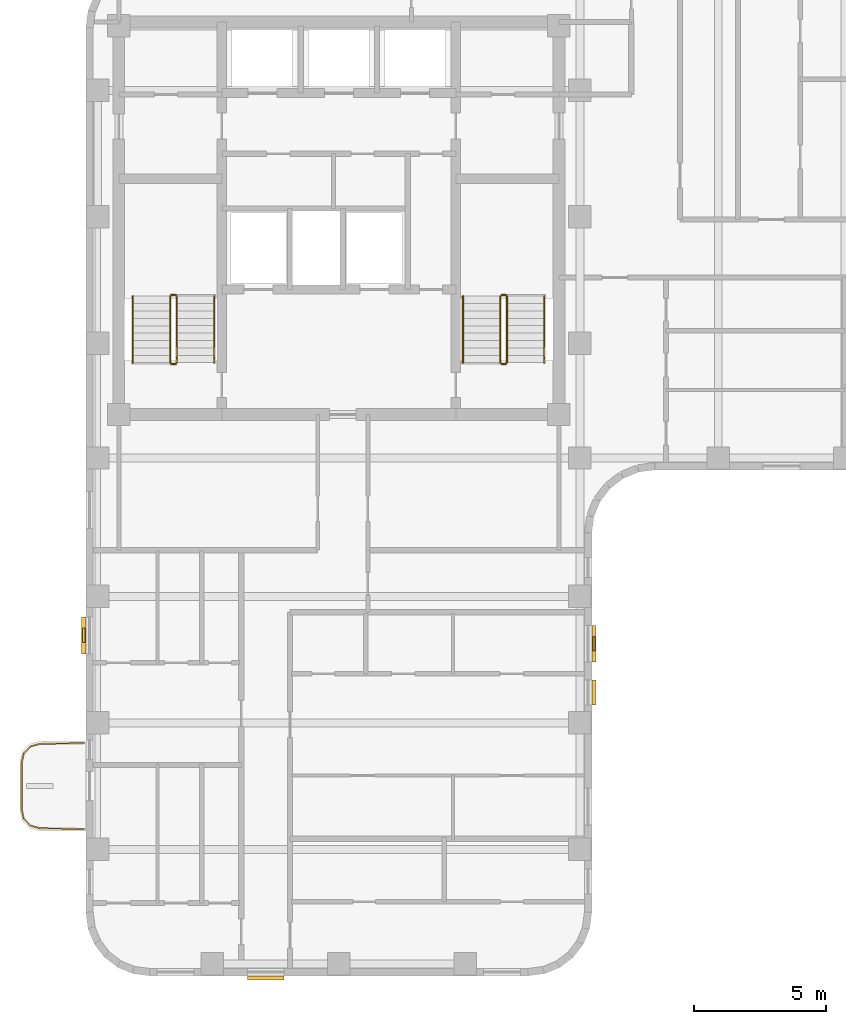
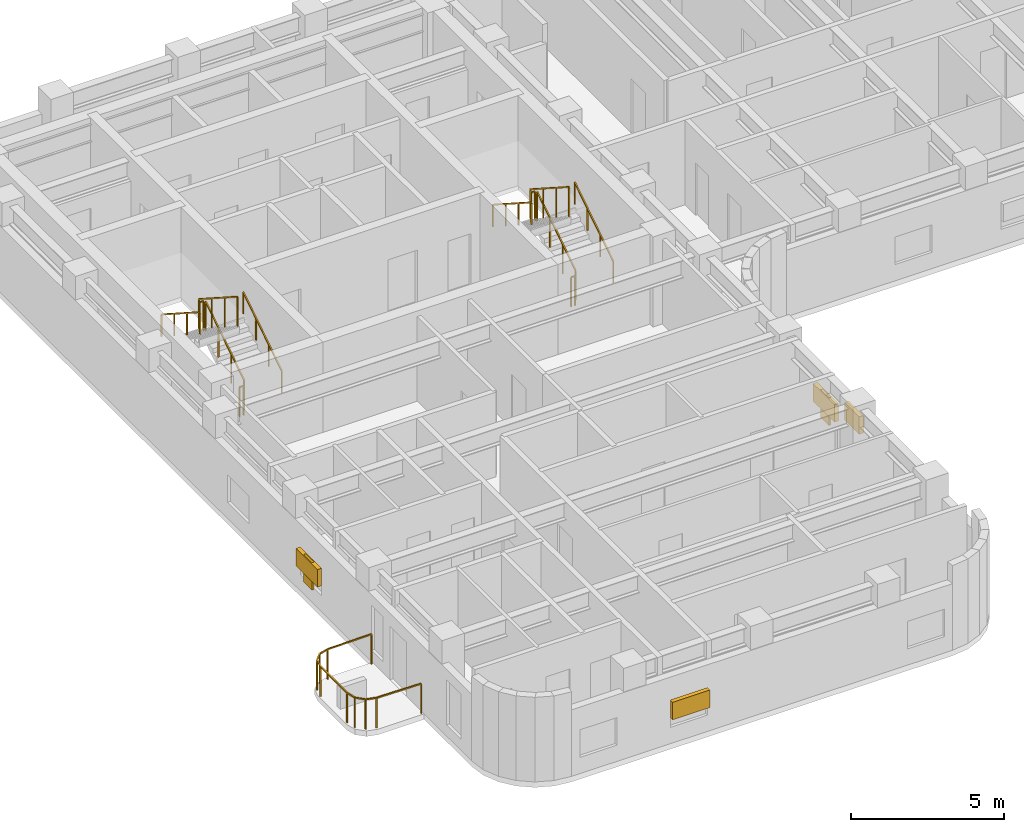
# One storey, part 8 of 10: 13 railings, 6 shading devices.
"""IFC4 building model written with IfcOpenShell, lengths in metres."""

from ifc_helpers import new_model, si_unit, direction, frame, origin, origin_2d, place, context, subcontext, project, spatial, rectangle, extrude, material, type_object, element, save


model = new_model("IFC4")

# Units and contexts
model_context = context("Model", 3, precision=1e-05, world=origin(), true_north=direction((0.0, 1.0)))
body_context = subcontext(model_context, "Body", "Model", "MODEL_VIEW")
ifc_project = project(units=[si_unit("LENGTHUNIT", "METRE"), si_unit("AREAUNIT", "SQUARE_METRE"), si_unit("VOLUMEUNIT", "CUBIC_METRE"), si_unit("PLANEANGLEUNIT", "RADIAN"), si_unit("MASSUNIT", "GRAM", prefix="KILO")], contexts=[model_context])

# Site, building, storey
site_placement = place(None, origin())
site = spatial("IfcSite", under=ifc_project, at=site_placement, CompositionType="ELEMENT")
building_placement = place(site_placement, origin())
building = spatial("IfcBuilding", under=site, at=building_placement, Name="Orvandelia Arch Residences", CompositionType="ELEMENT")
storey_placement = place(building_placement, frame((0.0, 0.0, 225.39990234375)))
storey = spatial("IfcBuildingStorey", under=building, at=storey_placement, Name="L59", CompositionType="ELEMENT", Elevation=225.39990234375)

# Railings
ifc_material_1 = material(Name="Marine-Grade Stainless Steel 316", Category="steel")
railing_type_1 = type_object("IfcRailingType", Name="GRD-BAL-1200", PredefinedType="BALUSTRADE", material=ifc_material_1)
railing_1_placement = place(storey_placement, frame((4.728271484375, 18.430419921875, 0.0)))
element("IfcRailing", 1, at=railing_1_placement, inside=storey, type_object=railing_type_1, Name="Safety Balustrade Guard GRD-L59-BAL-L59-W1-1", PredefinedType="BALUSTRADE", context=body_context, shape_type="SweptSolid", body=[
    extrude(rectangle(XDim=0.048095703125, YDim=0.048095703125, at=origin_2d()), frame((0.0, 0.0, 1.19580078125), z_axis=(-0.999834751713, -0.018178813668, 0.0), x_axis=(0.018178813668, -0.999834751713, 0.0)), (0.0, 0.0, 1.0), 1.6787109375),
    extrude(rectangle(XDim=0.048095703125, YDim=0.048095703125, at=origin_2d()), frame((-1.678466796875, -0.030517578125, 1.19580078125), z_axis=(-0.96348920644, -0.267747173792, 0.0), x_axis=(0.267747173792, -0.96348920644, 0.0)), (0.0, 0.0, 1.0), 0.36572265625),
    extrude(rectangle(XDim=0.048095703125, YDim=0.048095703125, at=origin_2d()), frame((-2.03076171875, -0.12841796875, 1.19580078125), z_axis=(-0.688627404251, -0.725115368831, 0.0), x_axis=(0.725115368831, -0.688627404251, 0.0)), (0.0, 0.0, 1.0), 0.367919921875),
    extrude(rectangle(XDim=0.048095703125, YDim=0.048095703125, at=origin_2d()), frame((-2.2841796875, -0.395263671875, 1.19580078125), z_axis=(-0.220602419982, -0.975363815352, 0.0), x_axis=(0.975363815352, -0.220602419982, 0.0)), (0.0, 0.0, 1.0), 0.373046875),
    extrude(rectangle(XDim=0.048095703125, YDim=0.048095703125, at=origin_2d()), frame((-2.366455078125, -0.759033203125, 1.19580078125), z_axis=(0.0, -1.0, 0.0), x_axis=(1.0, 0.0, 0.0)), (0.0, 0.0, 1.0), 1.74267578125),
    extrude(rectangle(XDim=0.048095703125, YDim=0.048095703125, at=origin_2d()), frame((-2.366455078125, -2.501708984375, 1.19580078125), z_axis=(0.220602419982, -0.975363815352, 0.0), x_axis=(0.975363815352, 0.220602419982, 0.0)), (0.0, 0.0, 1.0), 0.373046875),
    extrude(rectangle(XDim=0.048095703125, YDim=0.048095703125, at=origin_2d()), frame((-2.2841796875, -2.865478515625, 1.19580078125), z_axis=(0.688296224633, -0.725429739642, 0.0), x_axis=(0.725429739642, 0.688296224633, 0.0)), (0.0, 0.0, 1.0), 0.3681640625),
    extrude(rectangle(XDim=0.048095703125, YDim=0.048095703125, at=origin_2d()), frame((-2.03076171875, -3.132568359375, 1.19580078125), z_axis=(0.96348920644, -0.267747173792, 0.0), x_axis=(0.267747173792, 0.96348920644, 0.0)), (0.0, 0.0, 1.0), 0.36572265625),
    extrude(rectangle(XDim=0.048095703125, YDim=0.048095703125, at=origin_2d()), frame((-1.678466796875, -3.23046875, 1.19580078125), z_axis=(0.999837384468, -0.018033430643, 0.0), x_axis=(0.018033430643, 0.999837384468, 0.0)), (0.0, 0.0, 1.0), 1.6787109375),
    extrude(rectangle(XDim=0.0419921875, YDim=0.0419921875, at=origin_2d()), origin(), (0.0, 0.0, 1.0), 1.171875),
    extrude(rectangle(XDim=0.0419921875, YDim=0.0419921875, at=origin_2d()), frame((-1.678466796875, -0.030517578125, 0.0)), (0.0, 0.0, 1.0), 1.171875),
    extrude(rectangle(XDim=0.0419921875, YDim=0.0419921875, at=origin_2d()), frame((-2.03076171875, -0.12841796875, 0.0)), (0.0, 0.0, 1.0), 1.171875),
    extrude(rectangle(XDim=0.0419921875, YDim=0.0419921875, at=origin_2d()), frame((-2.2841796875, -0.395263671875, 0.0)), (0.0, 0.0, 1.0), 1.171875),
    extrude(rectangle(XDim=0.0419921875, YDim=0.0419921875, at=origin_2d()), frame((-2.366455078125, -0.759033203125, 0.0)), (0.0, 0.0, 1.0), 1.171875),
    extrude(rectangle(XDim=0.0419921875, YDim=0.0419921875, at=origin_2d()), frame((-2.366455078125, -2.501708984375, 0.0)), (0.0, 0.0, 1.0), 1.171875),
    extrude(rectangle(XDim=0.0419921875, YDim=0.0419921875, at=origin_2d()), frame((-2.2841796875, -2.865478515625, 0.0)), (0.0, 0.0, 1.0), 1.171875),
    extrude(rectangle(XDim=0.0419921875, YDim=0.0419921875, at=origin_2d()), frame((-2.03076171875, -3.132568359375, 0.0)), (0.0, 0.0, 1.0), 1.171875),
    extrude(rectangle(XDim=0.0419921875, YDim=0.0419921875, at=origin_2d()), frame((-1.678466796875, -3.23046875, 0.0)), (0.0, 0.0, 1.0), 1.171875),
    extrude(rectangle(XDim=0.0419921875, YDim=0.0419921875, at=origin_2d()), frame((0.0, -3.2607421875, 0.0)), (0.0, 0.0, 1.0), 1.171875),
])
ifc_material_2 = material(Name="Brushed Stainless Steel 304", Category="steel")
railing_type_2 = type_object("IfcRailingType", Name="RL-STAIR-GD1120", PredefinedType="GUARDRAIL", material=ifc_material_2)
railing_2_placement = place(storey_placement, frame((8.25, 32.8701171875, 0.18017578125)))
element("IfcRailing", 2, at=railing_2_placement, inside=storey, type_object=railing_type_2, Name="L59 ST-1 stair guard 1", PredefinedType="GUARDRAIL", context=body_context, shape_type="SweptSolid", body=[
    extrude(rectangle(XDim=0.048095703125, YDim=0.048095703125, at=origin_2d()), frame((0.0, 0.0, 1.17578125), z_axis=(0.0, 0.841175827307, 0.540761710511), x_axis=(-1.0, 0.0, 0.0)), (0.0, 0.0, 1.0), 2.99560546875),
    extrude(rectangle(XDim=0.0419921875, YDim=0.0419921875, at=origin_2d()), origin(), (0.0, 0.0, 1.0), 1.15185546875),
    extrude(rectangle(XDim=0.0419921875, YDim=0.0419921875, at=origin_2d()), frame((0.0, 0.83984375, 0.5400390625)), (0.0, 0.0, 1.0), 1.15185546875),
    extrude(rectangle(XDim=0.0419921875, YDim=0.0419921875, at=origin_2d()), frame((0.0, 1.679931640625, 1.079833984375)), (0.0, 0.0, 1.0), 1.15185546875),
    extrude(rectangle(XDim=0.0419921875, YDim=0.0419921875, at=origin_2d()), frame((0.0, 2.519775390625, 1.619873046875)), (0.0, 0.0, 1.0), 1.15185546875),
])
railing_3_placement = place(storey_placement, frame((8.199951171875, 35.43994140625, 1.800048828125)))
element("IfcRailing", 3, at=railing_3_placement, inside=storey, type_object=railing_type_2, Name="L59 ST-1 stair guard 2", PredefinedType="GUARDRAIL", context=body_context, shape_type="SweptSolid", body=[
    extrude(rectangle(XDim=0.048095703125, YDim=0.048095703125, at=origin_2d()), frame((0.0, 0.0, 1.17578125), z_axis=(-1.0, 0.0, 0.0), x_axis=(0.0, -1.0, 0.0)), (0.0, 0.0, 1.0), 0.14990234375),
    extrude(rectangle(XDim=0.0419921875, YDim=0.0419921875, at=origin_2d()), origin(), (0.0, 0.0, 1.0), 1.15185546875),
    extrude(rectangle(XDim=0.0419921875, YDim=0.0419921875, at=origin_2d()), frame((-0.14990234375, 0.0, 0.0)), (0.0, 0.0, 1.0), 1.15185546875),
])
railing_4_placement = place(storey_placement, frame((8.0, 35.389892578125, 1.97998046875)))
element("IfcRailing", 4, at=railing_4_placement, inside=storey, type_object=railing_type_2, Name="L59 ST-1 stair guard 3", PredefinedType="GUARDRAIL", context=body_context, shape_type="SweptSolid", body=[
    extrude(rectangle(XDim=0.048095703125, YDim=0.048095703125, at=origin_2d()), frame((0.0, 0.0, 1.17578125), z_axis=(0.0, -0.841138753965, 0.540819375188), x_axis=(1.0, 0.0, 0.0)), (0.0, 0.0, 1.0), 2.99560546875),
    extrude(rectangle(XDim=0.0419921875, YDim=0.0419921875, at=origin_2d()), origin(), (0.0, 0.0, 1.0), 1.15185546875),
    extrude(rectangle(XDim=0.0419921875, YDim=0.0419921875, at=origin_2d()), frame((0.0, -0.83984375, 0.5400390625)), (0.0, 0.0, 1.0), 1.15185546875),
    extrude(rectangle(XDim=0.0419921875, YDim=0.0419921875, at=origin_2d()), frame((0.0, -1.679931640625, 1.080078125)), (0.0, 0.0, 1.0), 1.15185546875),
    extrude(rectangle(XDim=0.0419921875, YDim=0.0419921875, at=origin_2d()), frame((0.0, -2.519775390625, 1.6201171875)), (0.0, 0.0, 1.0), 1.15185546875),
])
railing_5_placement = place(storey_placement, frame((8.199951171875, 32.820068359375, 0.0)))
element("IfcRailing", 5, at=railing_5_placement, inside=storey, type_object=railing_type_2, Name="L59 ST-1 stair guard 4", PredefinedType="GUARDRAIL", context=body_context, shape_type="SweptSolid", body=[
    extrude(rectangle(XDim=0.048095703125, YDim=0.048095703125, at=origin_2d()), frame((0.0, 0.0, 1.17578125), z_axis=(-1.0, 0.0, 0.0), x_axis=(0.0, -1.0, 0.0)), (0.0, 0.0, 1.0), 0.14990234375),
    extrude(rectangle(XDim=0.0419921875, YDim=0.0419921875, at=origin_2d()), origin(), (0.0, 0.0, 1.0), 1.15185546875),
    extrude(rectangle(XDim=0.0419921875, YDim=0.0419921875, at=origin_2d()), frame((-0.14990234375, 0.0, 0.0)), (0.0, 0.0, 1.0), 1.15185546875),
])
railing_6_placement = place(storey_placement, frame((20.780029296875, 32.8701171875, 0.18017578125)))
element("IfcRailing", 6, at=railing_6_placement, inside=storey, type_object=railing_type_2, Name="L59 ST-2 stair guard 1", PredefinedType="GUARDRAIL", context=body_context, shape_type="SweptSolid", body=[
    extrude(rectangle(XDim=0.048095703125, YDim=0.048095703125, at=origin_2d()), frame((0.0, 0.0, 1.17578125), z_axis=(0.0, 0.841175827307, 0.540761710511), x_axis=(-1.0, 0.0, 0.0)), (0.0, 0.0, 1.0), 2.99560546875),
    extrude(rectangle(XDim=0.0419921875, YDim=0.0419921875, at=origin_2d()), origin(), (0.0, 0.0, 1.0), 1.15185546875),
    extrude(rectangle(XDim=0.0419921875, YDim=0.0419921875, at=origin_2d()), frame((0.0, 0.83984375, 0.5400390625)), (0.0, 0.0, 1.0), 1.15185546875),
    extrude(rectangle(XDim=0.0419921875, YDim=0.0419921875, at=origin_2d()), frame((0.0, 1.679931640625, 1.079833984375)), (0.0, 0.0, 1.0), 1.15185546875),
    extrude(rectangle(XDim=0.0419921875, YDim=0.0419921875, at=origin_2d()), frame((0.0, 2.519775390625, 1.619873046875)), (0.0, 0.0, 1.0), 1.15185546875),
])
railing_7_placement = place(storey_placement, frame((20.72998046875, 35.43994140625, 1.800048828125)))
element("IfcRailing", 7, at=railing_7_placement, inside=storey, type_object=railing_type_2, Name="L59 ST-2 stair guard 2", PredefinedType="GUARDRAIL", context=body_context, shape_type="SweptSolid", body=[
    extrude(rectangle(XDim=0.048095703125, YDim=0.048095703125, at=origin_2d()), frame((0.0, 0.0, 1.17578125), z_axis=(-1.0, 0.0, 0.0), x_axis=(0.0, -1.0, 0.0)), (0.0, 0.0, 1.0), 0.14990234375),
    extrude(rectangle(XDim=0.0419921875, YDim=0.0419921875, at=origin_2d()), origin(), (0.0, 0.0, 1.0), 1.15185546875),
    extrude(rectangle(XDim=0.0419921875, YDim=0.0419921875, at=origin_2d()), frame((-0.14990234375, 0.0, 0.0)), (0.0, 0.0, 1.0), 1.15185546875),
])
railing_8_placement = place(storey_placement, frame((20.530029296875, 35.389892578125, 1.97998046875)))
element("IfcRailing", 8, at=railing_8_placement, inside=storey, type_object=railing_type_2, Name="L59 ST-2 stair guard 3", PredefinedType="GUARDRAIL", context=body_context, shape_type="SweptSolid", body=[
    extrude(rectangle(XDim=0.048095703125, YDim=0.048095703125, at=origin_2d()), frame((0.0, 0.0, 1.17578125), z_axis=(0.0, -0.841138753965, 0.540819375188), x_axis=(1.0, 0.0, 0.0)), (0.0, 0.0, 1.0), 2.99560546875),
    extrude(rectangle(XDim=0.0419921875, YDim=0.0419921875, at=origin_2d()), origin(), (0.0, 0.0, 1.0), 1.15185546875),
    extrude(rectangle(XDim=0.0419921875, YDim=0.0419921875, at=origin_2d()), frame((0.0, -0.83984375, 0.5400390625)), (0.0, 0.0, 1.0), 1.15185546875),
    extrude(rectangle(XDim=0.0419921875, YDim=0.0419921875, at=origin_2d()), frame((0.0, -1.679931640625, 1.080078125)), (0.0, 0.0, 1.0), 1.15185546875),
    extrude(rectangle(XDim=0.0419921875, YDim=0.0419921875, at=origin_2d()), frame((0.0, -2.519775390625, 1.6201171875)), (0.0, 0.0, 1.0), 1.15185546875),
])
railing_9_placement = place(storey_placement, frame((20.72998046875, 32.820068359375, 0.0)))
element("IfcRailing", 9, at=railing_9_placement, inside=storey, type_object=railing_type_2, Name="L59 ST-2 stair guard 4", PredefinedType="GUARDRAIL", context=body_context, shape_type="SweptSolid", body=[
    extrude(rectangle(XDim=0.048095703125, YDim=0.048095703125, at=origin_2d()), frame((0.0, 0.0, 1.17578125), z_axis=(-1.0, 0.0, 0.0), x_axis=(0.0, -1.0, 0.0)), (0.0, 0.0, 1.0), 0.14990234375),
    extrude(rectangle(XDim=0.0419921875, YDim=0.0419921875, at=origin_2d()), origin(), (0.0, 0.0, 1.0), 1.15185546875),
    extrude(rectangle(XDim=0.0419921875, YDim=0.0419921875, at=origin_2d()), frame((-0.14990234375, 0.0, 0.0)), (0.0, 0.0, 1.0), 1.15185546875),
])
railing_type_3 = type_object("IfcRailingType", Name="RL-STAIR-HR920", PredefinedType="HANDRAIL", material=ifc_material_2)
railing_10_placement = place(storey_placement, frame((9.669921875, 32.8701171875, 0.360107421875)))
element("IfcRailing", 10, at=railing_10_placement, inside=storey, type_object=railing_type_3, Name="L59 ST-1 stair handrail 1", PredefinedType="HANDRAIL", context=body_context, shape_type="SweptSolid", body=[
    extrude(rectangle(XDim=0.048095703125, YDim=0.048095703125, at=origin_2d()), frame((0.0, 0.0, 0.8759765625), z_axis=(0.0, 0.841175827307, 0.540761710511), x_axis=(-1.0, 0.0, 0.0)), (0.0, 0.0, 1.0), 2.99560546875),
    extrude(rectangle(XDim=0.0419921875, YDim=0.0419921875, at=origin_2d()), origin(), (0.0, 0.0, 1.0), 0.851806640625),
    extrude(rectangle(XDim=0.0419921875, YDim=0.0419921875, at=origin_2d()), frame((0.0, 0.83984375, 0.5400390625)), (0.0, 0.0, 1.0), 0.851806640625),
    extrude(rectangle(XDim=0.0419921875, YDim=0.0419921875, at=origin_2d()), frame((0.0, 1.679931640625, 1.079833984375)), (0.0, 0.0, 1.0), 0.851806640625),
    extrude(rectangle(XDim=0.0419921875, YDim=0.0419921875, at=origin_2d()), frame((0.0, 2.519775390625, 1.619873046875)), (0.0, 0.0, 1.0), 0.851806640625),
])
railing_11_placement = place(storey_placement, frame((6.580078125, 35.389892578125, 2.16015625)))
element("IfcRailing", 11, at=railing_11_placement, inside=storey, type_object=railing_type_3, Name="L59 ST-1 stair handrail 2", PredefinedType="HANDRAIL", context=body_context, shape_type="SweptSolid", body=[
    extrude(rectangle(XDim=0.048095703125, YDim=0.048095703125, at=origin_2d()), frame((0.0, 0.0, 0.8759765625), z_axis=(0.0, -0.841175827307, 0.540761710511), x_axis=(1.0, 0.0, 0.0)), (0.0, 0.0, 1.0), 2.99560546875),
    extrude(rectangle(XDim=0.0419921875, YDim=0.0419921875, at=origin_2d()), origin(), (0.0, 0.0, 1.0), 0.851806640625),
    extrude(rectangle(XDim=0.0419921875, YDim=0.0419921875, at=origin_2d()), frame((0.0, -0.83984375, 0.5400390625)), (0.0, 0.0, 1.0), 0.851806640625),
    extrude(rectangle(XDim=0.0419921875, YDim=0.0419921875, at=origin_2d()), frame((0.0, -1.679931640625, 1.079833984375)), (0.0, 0.0, 1.0), 0.851806640625),
    extrude(rectangle(XDim=0.0419921875, YDim=0.0419921875, at=origin_2d()), frame((0.0, -2.519775390625, 1.619873046875)), (0.0, 0.0, 1.0), 0.851806640625),
])
railing_12_placement = place(storey_placement, frame((22.199951171875, 32.8701171875, 0.360107421875)))
element("IfcRailing", 12, at=railing_12_placement, inside=storey, type_object=railing_type_3, Name="L59 ST-2 stair handrail 1", PredefinedType="HANDRAIL", context=body_context, shape_type="SweptSolid", body=[
    extrude(rectangle(XDim=0.048095703125, YDim=0.048095703125, at=origin_2d()), frame((0.0, 0.0, 0.8759765625), z_axis=(0.0, 0.841175827307, 0.540761710511), x_axis=(-1.0, 0.0, 0.0)), (0.0, 0.0, 1.0), 2.99560546875),
    extrude(rectangle(XDim=0.0419921875, YDim=0.0419921875, at=origin_2d()), origin(), (0.0, 0.0, 1.0), 0.851806640625),
    extrude(rectangle(XDim=0.0419921875, YDim=0.0419921875, at=origin_2d()), frame((0.0, 0.83984375, 0.5400390625)), (0.0, 0.0, 1.0), 0.851806640625),
    extrude(rectangle(XDim=0.0419921875, YDim=0.0419921875, at=origin_2d()), frame((0.0, 1.679931640625, 1.079833984375)), (0.0, 0.0, 1.0), 0.851806640625),
    extrude(rectangle(XDim=0.0419921875, YDim=0.0419921875, at=origin_2d()), frame((0.0, 2.519775390625, 1.619873046875)), (0.0, 0.0, 1.0), 0.851806640625),
])
railing_13_placement = place(storey_placement, frame((19.110107421875, 35.389892578125, 2.16015625)))
element("IfcRailing", 13, at=railing_13_placement, inside=storey, type_object=railing_type_3, Name="L59 ST-2 stair handrail 2", PredefinedType="HANDRAIL", context=body_context, shape_type="SweptSolid", body=[
    extrude(rectangle(XDim=0.048095703125, YDim=0.048095703125, at=origin_2d()), frame((0.0, 0.0, 0.8759765625), z_axis=(0.0, -0.841175827307, 0.540761710511), x_axis=(1.0, 0.0, 0.0)), (0.0, 0.0, 1.0), 2.99560546875),
    extrude(rectangle(XDim=0.0419921875, YDim=0.0419921875, at=origin_2d()), origin(), (0.0, 0.0, 1.0), 0.851806640625),
    extrude(rectangle(XDim=0.0419921875, YDim=0.0419921875, at=origin_2d()), frame((0.0, -0.83984375, 0.5400390625)), (0.0, 0.0, 1.0), 0.851806640625),
    extrude(rectangle(XDim=0.0419921875, YDim=0.0419921875, at=origin_2d()), frame((0.0, -1.679931640625, 1.079833984375)), (0.0, 0.0, 1.0), 0.851806640625),
    extrude(rectangle(XDim=0.0419921875, YDim=0.0419921875, at=origin_2d()), frame((0.0, -2.519775390625, 1.619873046875)), (0.0, 0.0, 1.0), 0.851806640625),
])

# Shading devices
ifc_material_3 = material(Name="Anodised Champagne-Bronze Extruded Aluminium", Category="aluminium")
shading_device_type_1 = type_object("IfcShadingDeviceType", Name="SHD-JALOUSIE-SCREEN", PredefinedType="JALOUSIE", material=ifc_material_3)
shading_device_1_placement = place(storey_placement, frame((24.080078125, 22.199951171875, 1.05029296875), z_axis=(0.0, 0.0, 1.0), x_axis=(0.0, -1.0, 0.0)))
element("IfcShadingDevice", 14, at=shading_device_1_placement, inside=storey, type_object=shading_device_type_1, Name="Bronze Jalousie Sun-Shade L59-006", PredefinedType="JALOUSIE", context=body_context, shape_type="SweptSolid", body=[
    extrude(rectangle(XDim=1.39990234375, YDim=0.159912109375, at=origin_2d()), origin(), (0.0, 0.0, 1.0), 0.699951171875),
])
shading_device_2_placement = place(storey_placement, frame((24.080078125, 20.3525390625, 1.55029296875), z_axis=(0.0, 0.0, 1.0), x_axis=(0.0, -1.0, 0.0)))
element("IfcShadingDevice", 15, at=shading_device_2_placement, inside=storey, type_object=shading_device_type_1, Name="Bronze Jalousie Sun-Shade L59-007", PredefinedType="JALOUSIE", context=body_context, shape_type="SweptSolid", body=[
    extrude(rectangle(XDim=0.949951171875, YDim=0.159912109375, at=origin_2d()), origin(), (0.0, 0.0, 1.0), 0.699951171875),
])
for number, where, z_axis, x_axis, name in (
    (16, (11.625, 9.52001953125, 1.05029296875), (0.0, 0.0, 1.0), (-1.0, 0.0, 0.0), "Bronze Jalousie Sun-Shade L59-008"),
    (17, (4.719970703125, 22.517578125, 1.05029296875), (0.0, 0.0, 1.0), (0.0, 1.0, 0.0), "Bronze Jalousie Sun-Shade L59-009"),
):
    element("IfcShadingDevice", number, at=place(storey_placement, frame(where, z_axis=z_axis, x_axis=x_axis)), inside=storey, type_object=shading_device_type_1, Name=name, PredefinedType="JALOUSIE", context=body_context, shape_type="SweptSolid", body=[
        extrude(rectangle(XDim=1.39990234375, YDim=0.159912109375, at=origin_2d()), origin(), (0.0, 0.0, 1.0), 0.699951171875),
    ])
ifc_material_4 = material(Name="Marine-Grade Perforated Aluminium Storm Shutter", Category="aluminium")
shading_device_type_2 = type_object("IfcShadingDeviceType", Name="SHD-STORM-SHUTTER", PredefinedType="SHUTTER", material=ifc_material_4)
for number, where, z_axis, x_axis, name in (
    (18, (24.080078125, 22.199951171875, 0.650146484375), (0.0, 0.0, 1.0), (0.0, -1.0, 0.0), "Operable Typhoon Storm Shutter L59-006"),
    (19, (4.719970703125, 22.517578125, 0.650146484375), (0.0, 0.0, 1.0), (0.0, 1.0, 0.0), "Operable Typhoon Storm Shutter L59-009"),
):
    element("IfcShadingDevice", number, at=place(storey_placement, frame(where, z_axis=z_axis, x_axis=x_axis)), inside=storey, type_object=shading_device_type_2, Name=name, PredefinedType="SHUTTER", context=body_context, shape_type="SweptSolid", body=[
        extrude(rectangle(XDim=0.550048828125, YDim=0.080078125, at=origin_2d()), origin(), (0.0, 0.0, 1.0), 1.10009765625),
    ])

save(model, "model.ifc")
